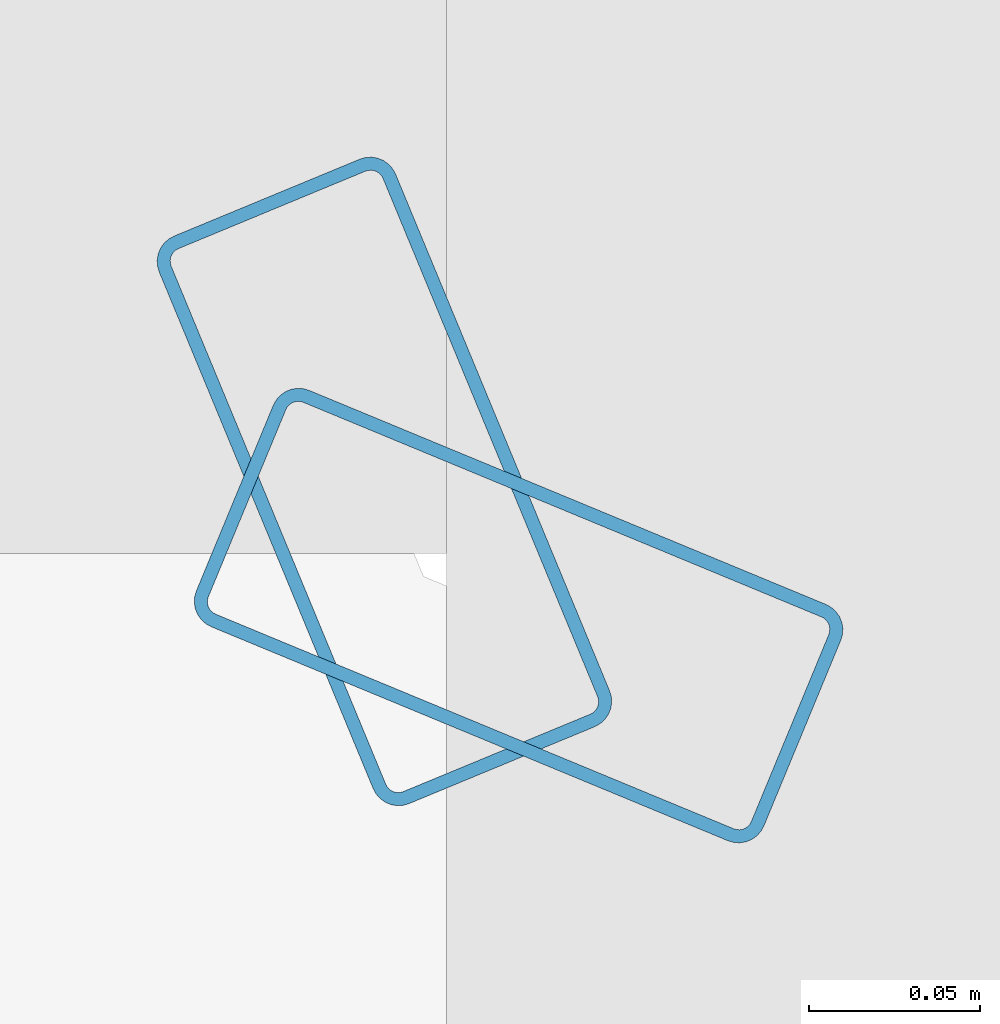
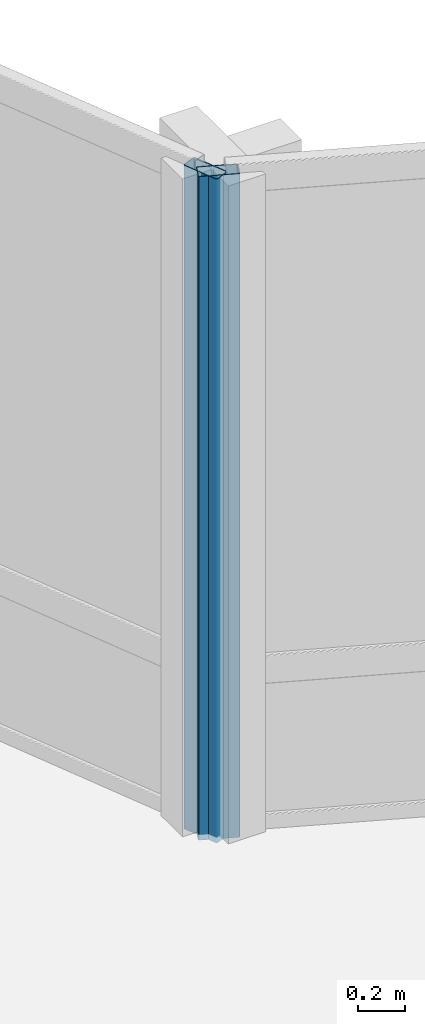
# One storey, part 8 of 28: 2 members, 2 elements without a shape of their own.
"""IFC4 building model written with IfcOpenShell, lengths in metres."""

from ifc_helpers import new_model, si_unit, direction, frame, origin, origin_2d, place, context, subcontext, project, spatial, hollow_rectangle, extrude, material, layer, layer_set, material_profile, profile_set, type_object, element, aggregate, save


model = new_model("IFC4")

# Units and contexts
model_context = context("Model", 3, precision=1e-05, world=origin(), true_north=direction((0.0, 1.0)))
body_context = subcontext(model_context, "Body", "Model", "MODEL_VIEW")
ifc_project = project(units=[si_unit("LENGTHUNIT", "METRE"), si_unit("AREAUNIT", "SQUARE_METRE"), si_unit("VOLUMEUNIT", "CUBIC_METRE"), si_unit("PLANEANGLEUNIT", "RADIAN"), si_unit("MASSUNIT", "GRAM", prefix="KILO")], contexts=[model_context])

# Site, building, storey
site_placement = place(None, origin())
site = spatial("IfcSite", under=ifc_project, at=site_placement, CompositionType="ELEMENT")
building_placement = place(site_placement, origin())
building = spatial("IfcBuilding", under=site, at=building_placement, Name="Solvaryn Broadcast Tower", CompositionType="ELEMENT")
storey_placement = place(building_placement, frame((0.0, 0.0, 150.699951171875)))
storey = spatial("IfcBuildingStorey", under=building, at=storey_placement, Name="L37", CompositionType="ELEMENT", Elevation=150.699951171875)

# Curtain wall, member
ifc_material_1 = material(Name="Aluminium and Terracotta Unitised Curtain Wall", Category="masonry")
ifc_layer = layer(ifc_material_1, 0.199951171875)
ifc_layer_set = layer_set([ifc_layer], Name="CW-SYS2-LOWMID")
curtain_wall_type = type_object("IfcCurtainWallType", Name="CW-SYS2-LOWMID", PredefinedType="NOTDEFINED", material=ifc_layer_set)
curtain_wall_1_placement = place(storey_placement, origin())
curtain_wall_1 = element("IfcCurtainWall", 1, at=curtain_wall_1_placement, inside=storey, type_object=curtain_wall_type, Name="L37 Curtain Wall CN1", PredefinedType="NOTDEFINED")
ifc_material_2 = material(Name="Anodised Aluminium 6063-T6", Category="aluminium")
ifc_material_profile = material_profile(ifc_material_2, hollow_rectangle(XDim=0.074951171875, YDim=0.179931640625, WallThickness=0.00390625, InnerFilletRadius=0.00390625, OuterFilletRadius=0.008056640625, at=origin_2d()))
ifc_profile_set = profile_set([ifc_material_profile], Name="Anodised Aluminium 6063-T6")
member_type = type_object("IfcMemberType", Name="CW-MUL-180", PredefinedType="MULLION", material=ifc_profile_set)
member_1_placement = place(storey_placement, frame((30.395751953125, 30.3564453125, 0.0), z_axis=(0.0, 0.0, 1.0), x_axis=(-0.382646127145, -0.923894983957, 0.0)))
member_1 = element("IfcMember", 2, at=member_1_placement, type_object=member_type, Name="CWS2 mullion 2", PredefinedType="MULLION", context=body_context, shape_type="SweptSolid", body=[
    extrude(hollow_rectangle(XDim=0.074951171875, YDim=0.179931640625, WallThickness=0.00390625, InnerFilletRadius=0.00390625, OuterFilletRadius=0.008056640625, at=origin_2d()), origin(), (0.0, 0.0, 1.0), 3.420166015625),
])
aggregate(curtain_wall_1, [member_1])

curtain_wall_2_placement = place(storey_placement, origin())
curtain_wall_2 = element("IfcCurtainWall", 3, at=curtain_wall_2_placement, inside=storey, type_object=curtain_wall_type, Name="L37 Curtain Wall CN2", PredefinedType="NOTDEFINED")
member_2_placement = place(storey_placement, frame((30.3564453125, 30.395751953125, 0.0), z_axis=(0.0, 0.0, 1.0), x_axis=(-0.923894983957, -0.382646127145, 0.0)))
member_2 = element("IfcMember", 4, at=member_2_placement, type_object=member_type, Name="CWS2 mullion 1", PredefinedType="MULLION", context=body_context, shape_type="SweptSolid", body=[
    extrude(hollow_rectangle(XDim=0.074951171875, YDim=0.179931640625, WallThickness=0.00390625, InnerFilletRadius=0.00390625, OuterFilletRadius=0.008056640625, at=origin_2d()), origin(), (0.0, 0.0, 1.0), 3.420166015625),
])
aggregate(curtain_wall_2, [member_2])

save(model, "model.ifc")
